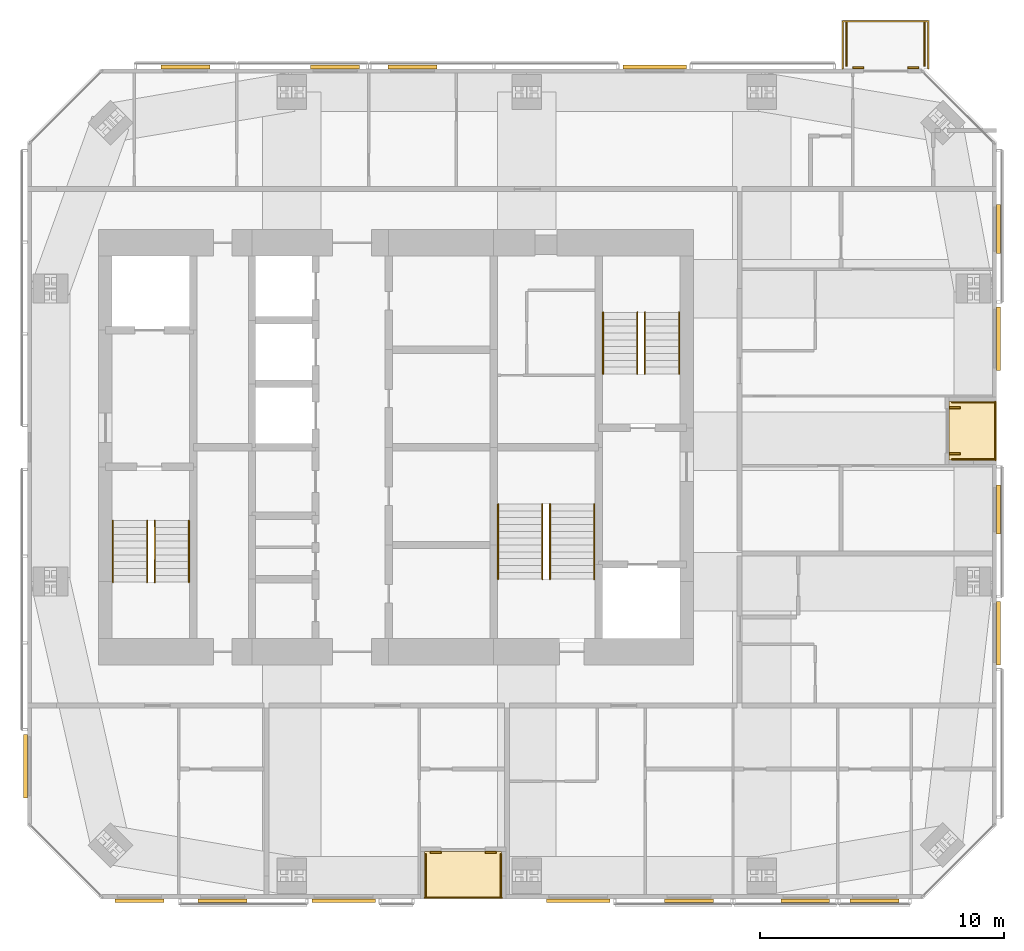
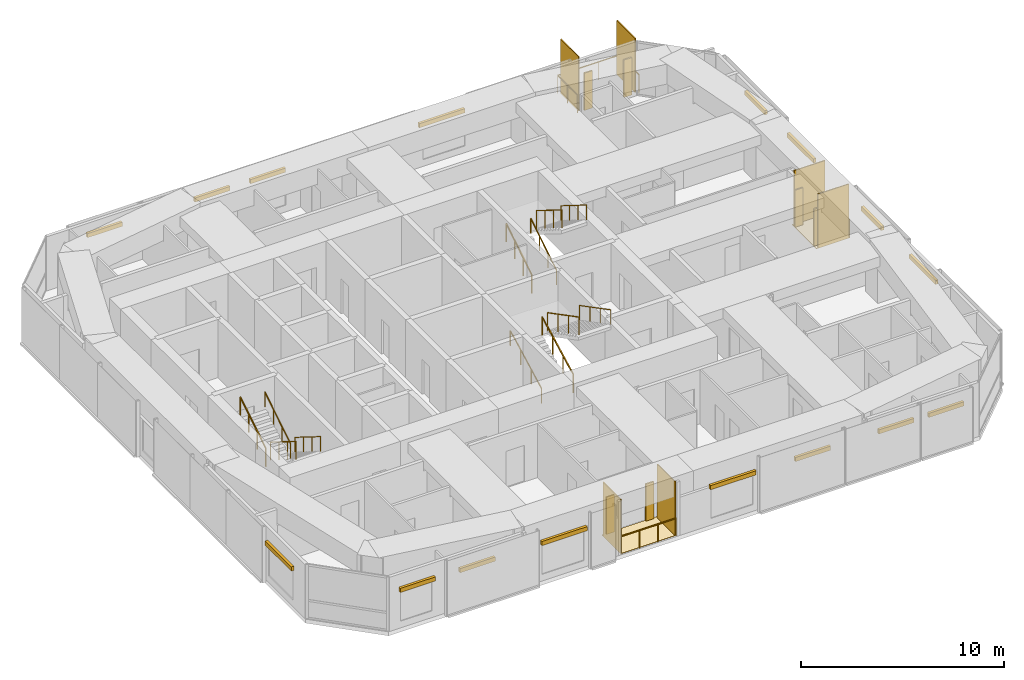
# One storey, part 20 of 20: 28 shading devices, 15 railings, 2 coverings.
"""IFC4 building model written with IfcOpenShell, lengths in metres."""

from ifc_helpers import new_model, si_unit, direction, frame, origin, origin_2d, place, context, subcontext, project, spatial, polyline, rectangle, circle, outline, extrude, material, layer, layer_set, constituent, constituent_set, type_object, element, save


model = new_model("IFC4")

# Units and contexts
model_context = context("Model", 3, precision=1e-05, world=origin(), true_north=direction((0.0, 1.0)))
body_context = subcontext(model_context, "Body", "Model", "MODEL_VIEW")
ifc_project = project(units=[si_unit("LENGTHUNIT", "METRE"), si_unit("AREAUNIT", "SQUARE_METRE"), si_unit("VOLUMEUNIT", "CUBIC_METRE"), si_unit("PLANEANGLEUNIT", "RADIAN"), si_unit("MASSUNIT", "GRAM", prefix="KILO")], contexts=[model_context])

# Site, building, storey
site_placement = place(None, origin())
site = spatial("IfcSite", under=ifc_project, at=site_placement, CompositionType="ELEMENT")
building_placement = place(site_placement, origin())
building = spatial("IfcBuilding", under=site, at=building_placement, Name="Jalousie Tower", CompositionType="ELEMENT")
storey_placement = place(building_placement, frame((0.0, 0.0, 245.949951171875)))
storey = spatial("IfcBuildingStorey", under=building, at=storey_placement, Name="L67", CompositionType="ELEMENT", Elevation=245.949951171875)

# Shading devices
ifc_material_1 = material(Name="Aluminium impact-rated louvred storm shutter", Category="aluminium")
shading_device_type_1 = type_object("IfcShadingDeviceType", Name="BI-FOLD STORM SHUTTER 900x2250", PredefinedType="SHUTTER", material=ifc_material_1)
for number, where, z_axis, x_axis, name in (
    (1, (33.52490234375, 1.909912109375, 0.0), (0.0, 0.0, 1.0), (1.0, 0.0, 0.0), "Loggia storm shutter L67"),
    (2, (35.77490234375, 1.909912109375, 0.0), (0.0, 0.0, 1.0), (1.0, 0.0, 0.0), "Loggia storm shutter L67"),
    (3, (54.77490234375, 18.235107421875, 0.0), (0.0, 0.0, 1.0), (-1.0, 0.0, 0.0), "Loggia storm shutter L67"),
    (4, (54.77490234375, 20.114990234375, 0.0), (0.0, 0.0, 1.0), (-1.0, 0.0, 0.0), "Loggia storm shutter L67"),
    (5, (53.07373046875, 34.0400390625, 0.0), (0.0, 0.0, 1.0), (-1.0, 0.0, 0.0), "Balcony storm shutter L67"),
    (6, (50.82373046875, 34.0400390625, 0.0), (0.0, 0.0, 1.0), (-1.0, 0.0, 0.0), "Balcony storm shutter L67"),
):
    element("IfcShadingDevice", number, at=place(storey_placement, frame(where, z_axis=z_axis, x_axis=x_axis)), inside=storey, type_object=shading_device_type_1, Name=name, PredefinedType="SHUTTER", context=body_context, shape_type="SweptSolid", body=[
        extrude(rectangle(XDim=0.449951171875, YDim=0.080078125, at=origin_2d()), origin(), (0.0, 0.0, 1.0), 2.25),
    ])

# Railings
ifc_material_2 = material(Name="Powder-coated aluminium fretwork", Category="aluminium")
railing_type_1 = type_object("IfcRailingType", Name="FRETWORK BALUSTRADE 1100", PredefinedType="BALUSTRADE", material=ifc_material_2)
railing_1_placement = place(storey_placement, frame((33.074951171875, 0.050048828125, 0.0)))
element("IfcRailing", 7, at=railing_1_placement, inside=storey, type_object=railing_type_1, Name="Loggia fretwork balustrade L67", PredefinedType="BALUSTRADE", context=body_context, shape_type="SweptSolid", body=[
    extrude(rectangle(XDim=0.048095703125, YDim=0.048095703125, at=origin_2d()), frame((0.0, 0.0, 1.076171875), z_axis=(1.0, 0.0, 0.0), x_axis=(0.0, 1.0, 0.0)), (0.0, 0.0, 1.0), 3.150146484375),
    extrude(circle(Radius=0.02099609375, at=origin_2d()), origin(), (0.0, 0.0, 1.0), 1.052001953125),
    extrude(circle(Radius=0.02099609375, at=origin_2d()), frame((1.050048828125, 0.0, 0.0)), (0.0, 0.0, 1.0), 1.052001953125),
    extrude(circle(Radius=0.02099609375, at=origin_2d()), frame((2.10009765625, 0.0, 0.0)), (0.0, 0.0, 1.0), 1.052001953125),
    extrude(circle(Radius=0.02099609375, at=origin_2d()), frame((3.150146484375, 0.0, 0.0)), (0.0, 0.0, 1.0), 1.052001953125),
])
railing_2_placement = place(storey_placement, frame((56.449951171875, 17.97509765625, 0.0)))
element("IfcRailing", 8, at=railing_2_placement, inside=storey, type_object=railing_type_1, Name="Loggia fretwork balustrade L67", PredefinedType="BALUSTRADE", context=body_context, shape_type="SweptSolid", body=[
    extrude(rectangle(XDim=0.048095703125, YDim=0.048095703125, at=origin_2d()), frame((0.0, 0.0, 1.076171875), z_axis=(0.0, 1.0, 0.0), x_axis=(-1.0, 0.0, 0.0)), (0.0, 0.0, 1.0), 2.39990234375),
    extrude(circle(Radius=0.02099609375, at=origin_2d()), origin(), (0.0, 0.0, 1.0), 1.052001953125),
    extrude(circle(Radius=0.02099609375, at=origin_2d()), frame((0.0, 1.199951171875, 0.0)), (0.0, 0.0, 1.0), 1.052001953125),
    extrude(circle(Radius=0.02099609375, at=origin_2d()), frame((0.0, 2.39990234375, 0.0)), (0.0, 0.0, 1.0), 1.052001953125),
])
railing_3_placement = place(storey_placement, frame((53.69873046875, 34.0, 0.0)))
element("IfcRailing", 9, at=railing_3_placement, inside=storey, type_object=railing_type_1, Name="Balcony fretwork balustrade L67", PredefinedType="BALUSTRADE", context=body_context, shape_type="SweptSolid", body=[
    extrude(rectangle(XDim=0.048095703125, YDim=0.048095703125, at=origin_2d()), frame((0.0, 0.0, 1.076171875), z_axis=(0.0, 1.0, 0.0), x_axis=(-1.0, 0.0, 0.0)), (0.0, 0.0, 1.0), 1.949951171875),
    extrude(rectangle(XDim=0.048095703125, YDim=0.048095703125, at=origin_2d()), frame((0.0, 1.949951171875, 1.076171875), z_axis=(-1.0, 0.0, 0.0), x_axis=(0.0, -1.0, 0.0)), (0.0, 0.0, 1.0), 3.5),
    extrude(rectangle(XDim=0.048095703125, YDim=0.048095703125, at=origin_2d()), frame((-3.5, 1.949951171875, 1.076171875), z_axis=(0.0, -1.0, 0.0), x_axis=(1.0, 0.0, 0.0)), (0.0, 0.0, 1.0), 1.949951171875),
    extrude(circle(Radius=0.02099609375, at=origin_2d()), origin(), (0.0, 0.0, 1.0), 1.052001953125),
    extrude(circle(Radius=0.02099609375, at=origin_2d()), frame((0.0, 0.97509765625, 0.0)), (0.0, 0.0, 1.0), 1.052001953125),
    extrude(circle(Radius=0.02099609375, at=origin_2d()), frame((0.0, 1.949951171875, 0.0)), (0.0, 0.0, 1.0), 1.052001953125),
    extrude(circle(Radius=0.02099609375, at=origin_2d()), frame((-1.166748046875, 1.949951171875, 0.0)), (0.0, 0.0, 1.0), 1.052001953125),
    extrude(circle(Radius=0.02099609375, at=origin_2d()), frame((-2.333251953125, 1.949951171875, 0.0)), (0.0, 0.0, 1.0), 1.052001953125),
    extrude(circle(Radius=0.02099609375, at=origin_2d()), frame((-3.5, 1.949951171875, 0.0)), (0.0, 0.0, 1.0), 1.052001953125),
    extrude(circle(Radius=0.02099609375, at=origin_2d()), frame((-3.5, 0.97509765625, 0.0)), (0.0, 0.0, 1.0), 1.052001953125),
    extrude(circle(Radius=0.02099609375, at=origin_2d()), frame((-3.5, 0.0, 0.0)), (0.0, 0.0, 1.0), 1.052001953125),
])

# Shading devices
ifc_material_3 = material(Name="Powder-coated aluminium louvres", Category="aluminium")
ifc_layer_1 = layer(ifc_material_3, 0.06005859375)
ifc_layer_set_1 = layer_set([ifc_layer_1], Name="Powder-coated aluminium louvres")
shading_device_type_2 = type_object("IfcShadingDeviceType", Name="JALOUSIE LOUVRE SCREEN", PredefinedType="JALOUSIE", material=ifc_layer_set_1)
for number, where, z_axis, x_axis, name in (
    (10, (33.10498046875, 0.97509765625, 0.0), (0.0, 0.0, 1.0), (1.0, 0.0, 0.0), "Loggia jalousie louvre screen L67"),
    (11, (36.195068359375, 0.97509765625, 0.0), (0.0, 0.0, 1.0), (1.0, 0.0, 0.0), "Loggia jalousie louvre screen L67"),
    (12, (55.52490234375, 18.0048828125, 0.0), (0.0, 0.0, 1.0), (0.0, 1.0, 0.0), "Loggia jalousie louvre screen L67"),
    (13, (55.52490234375, 20.344970703125, 0.0), (0.0, 0.0, 1.0), (0.0, 1.0, 0.0), "Loggia jalousie louvre screen L67"),
):
    element("IfcShadingDevice", number, at=place(storey_placement, frame(where, z_axis=z_axis, x_axis=x_axis)), inside=storey, type_object=shading_device_type_2, Name=name, PredefinedType="JALOUSIE", context=body_context, shape_type="SweptSolid", body=[
        extrude(rectangle(XDim=0.06005859375, YDim=1.75, at=origin_2d()), origin(), (0.0, 0.0, 1.0), 3.260009765625),
    ])
for number, where, z_axis, x_axis, name in (
    (14, (53.548583984375, 35.0, 0.0), (0.0, 0.0, 1.0), (-1.0, 0.0, 0.0), "Jalousie louvre screen L67"),
    (15, (50.3486328125, 35.0, 0.0), (0.0, 0.0, 1.0), (-1.0, 0.0, 0.0), "Jalousie louvre screen L67"),
):
    element("IfcShadingDevice", number, at=place(storey_placement, frame(where, z_axis=z_axis, x_axis=x_axis)), inside=storey, type_object=shading_device_type_2, Name=name, PredefinedType="JALOUSIE", context=body_context, shape_type="SweptSolid", body=[
        extrude(rectangle(XDim=0.06005859375, YDim=1.800048828125, at=origin_2d()), origin(), (0.0, 0.0, 1.0), 3.260009765625),
    ])

# Railings
ifc_material_4 = material(Name="Steel ASTM A500 Grade C", Category="steel")
ifc_constituent_1 = constituent(ifc_material_4, Name="Body")
ifc_material_5 = material(Name="Hot-dip galvanised zinc coating")
ifc_constituent_2 = constituent(ifc_material_5, Name="Finish")
ifc_constituent_set_1 = constituent_set(constituents=[ifc_constituent_1, ifc_constituent_2])
railing_type_2 = type_object("IfcRailingType", Name="STAIR GUARD 1100", PredefinedType="GUARDRAIL", material=ifc_constituent_set_1)
railing_4_placement = place(storey_placement, frame((22.017578125, 15.49755859375, 0.175048828125)))
element("IfcRailing", 16, at=railing_4_placement, inside=storey, type_object=railing_type_2, Name="Exit stair A guard L67 flight 1", PredefinedType="GUARDRAIL", context=body_context, shape_type="SweptSolid", body=[
    extrude(rectangle(XDim=0.048095703125, YDim=0.048095703125, at=origin_2d()), frame((0.0, 0.0, 1.076171875), z_axis=(0.0, -0.848007534815, 0.529984170421), x_axis=(1.0, 0.0, 0.0)), (0.0, 0.0, 1.0), 2.9716796875),
    extrude(circle(Radius=0.02099609375, at=origin_2d()), origin(), (0.0, 0.0, 1.0), 1.052001953125),
    extrude(circle(Radius=0.02099609375, at=origin_2d()), frame((0.0, -0.840087890625, 0.52490234375)), (0.0, 0.0, 1.0), 1.052001953125),
    extrude(circle(Radius=0.02099609375, at=origin_2d()), frame((0.0, -1.679931640625, 1.050048828125)), (0.0, 0.0, 1.0), 1.052001953125),
    extrude(circle(Radius=0.02099609375, at=origin_2d()), frame((0.0, -2.52001953125, 1.574951171875)), (0.0, 0.0, 1.0), 1.052001953125),
])
for number, where, name in (
    (17, (20.304931640625, 12.9775390625, 1.925048828125), "Exit stair A guard L67 flight 2"),
    (18, (40.3798828125, 21.50244140625, 0.175048828125), "Exit stair B guard L67 flight 1"),
):
    element("IfcRailing", number, at=place(storey_placement, frame(where)), inside=storey, type_object=railing_type_2, Name=name, PredefinedType="GUARDRAIL", context=body_context, shape_type="SweptSolid", body=[
        extrude(rectangle(XDim=0.048095703125, YDim=0.048095703125, at=origin_2d()), frame((0.0, 0.0, 1.076171875), z_axis=(0.0, 0.848007534815, 0.529984170421), x_axis=(-1.0, 0.0, 0.0)), (0.0, 0.0, 1.0), 2.9716796875),
        extrude(circle(Radius=0.02099609375, at=origin_2d()), origin(), (0.0, 0.0, 1.0), 1.052001953125),
        extrude(circle(Radius=0.02099609375, at=origin_2d()), frame((0.0, 0.840087890625, 0.52490234375)), (0.0, 0.0, 1.0), 1.052001953125),
        extrude(circle(Radius=0.02099609375, at=origin_2d()), frame((0.0, 1.679931640625, 1.050048828125)), (0.0, 0.0, 1.0), 1.052001953125),
        extrude(circle(Radius=0.02099609375, at=origin_2d()), frame((0.0, 2.52001953125, 1.574951171875)), (0.0, 0.0, 1.0), 1.052001953125),
    ])
railing_5_placement = place(storey_placement, frame((42.092529296875, 24.0224609375, 1.925048828125)))
element("IfcRailing", 19, at=railing_5_placement, inside=storey, type_object=railing_type_2, Name="Exit stair B guard L67 flight 2", PredefinedType="GUARDRAIL", context=body_context, shape_type="SweptSolid", body=[
    extrude(rectangle(XDim=0.048095703125, YDim=0.048095703125, at=origin_2d()), frame((0.0, 0.0, 1.076171875), z_axis=(0.0, -0.848007534815, 0.529984170421), x_axis=(1.0, 0.0, 0.0)), (0.0, 0.0, 1.0), 2.9716796875),
    extrude(circle(Radius=0.02099609375, at=origin_2d()), origin(), (0.0, 0.0, 1.0), 1.052001953125),
    extrude(circle(Radius=0.02099609375, at=origin_2d()), frame((0.0, -0.840087890625, 0.52490234375)), (0.0, 0.0, 1.0), 1.052001953125),
    extrude(circle(Radius=0.02099609375, at=origin_2d()), frame((0.0, -1.679931640625, 1.050048828125)), (0.0, 0.0, 1.0), 1.052001953125),
    extrude(circle(Radius=0.02099609375, at=origin_2d()), frame((0.0, -2.52001953125, 1.574951171875)), (0.0, 0.0, 1.0), 1.052001953125),
])
railing_6_placement = place(storey_placement, frame((37.89501953125, 13.097412109375, 0.145751953125)))
element("IfcRailing", 20, at=railing_6_placement, inside=storey, type_object=railing_type_2, Name="Exit stair C guard L67 flight 1", PredefinedType="GUARDRAIL", context=body_context, shape_type="SweptSolid", body=[
    extrude(rectangle(XDim=0.048095703125, YDim=0.048095703125, at=origin_2d()), frame((0.0, 0.0, 1.076171875), z_axis=(0.0, 0.886909283822, 0.461943635383), x_axis=(-1.0, 0.0, 0.0)), (0.0, 0.0, 1.0), 3.472900390625),
    extrude(circle(Radius=0.02099609375, at=origin_2d()), origin(), (0.0, 0.0, 1.0), 1.052001953125),
    extrude(circle(Radius=0.02099609375, at=origin_2d()), frame((0.0, 1.026611328125, 0.53466796875)), (0.0, 0.0, 1.0), 1.052001953125),
    extrude(circle(Radius=0.02099609375, at=origin_2d()), frame((0.0, 2.053466796875, 1.069580078125)), (0.0, 0.0, 1.0), 1.052001953125),
    extrude(circle(Radius=0.02099609375, at=origin_2d()), frame((0.0, 3.080078125, 1.604248046875)), (0.0, 0.0, 1.0), 1.052001953125),
])
railing_7_placement = place(storey_placement, frame((38.205078125, 16.177490234375, 1.895751953125)))
element("IfcRailing", 21, at=railing_7_placement, inside=storey, type_object=railing_type_2, Name="Exit stair C guard L67 flight 2", PredefinedType="GUARDRAIL", context=body_context, shape_type="SweptSolid", body=[
    extrude(rectangle(XDim=0.048095703125, YDim=0.048095703125, at=origin_2d()), frame((0.0, 0.0, 1.076171875), z_axis=(0.0, -0.886909283822, 0.461943635383), x_axis=(1.0, 0.0, 0.0)), (0.0, 0.0, 1.0), 3.472900390625),
    extrude(circle(Radius=0.02099609375, at=origin_2d()), origin(), (0.0, 0.0, 1.0), 1.052001953125),
    extrude(circle(Radius=0.02099609375, at=origin_2d()), frame((0.0, -1.026611328125, 0.53466796875)), (0.0, 0.0, 1.0), 1.052001953125),
    extrude(circle(Radius=0.02099609375, at=origin_2d()), frame((0.0, -2.053466796875, 1.069580078125)), (0.0, 0.0, 1.0), 1.052001953125),
    extrude(circle(Radius=0.02099609375, at=origin_2d()), frame((0.0, -3.080078125, 1.604248046875)), (0.0, 0.0, 1.0), 1.052001953125),
])
ifc_material_6 = material(Name="Steel ASTM A500 Grade C", Category="steel")
ifc_constituent_3 = constituent(ifc_material_6, Name="Body")
ifc_material_7 = material(Name="Hot-dip galvanised zinc coating")
ifc_constituent_4 = constituent(ifc_material_7, Name="Finish")
ifc_constituent_set_2 = constituent_set(constituents=[ifc_constituent_3, ifc_constituent_4])
railing_type_3 = type_object("IfcRailingType", Name="STAIR HANDRAIL 900", PredefinedType="HANDRAIL", material=ifc_constituent_set_2)
railing_8_placement = place(storey_placement, frame((23.420166015625, 15.49755859375, 0.175048828125)))
element("IfcRailing", 22, at=railing_8_placement, inside=storey, type_object=railing_type_3, Name="Exit stair A handrail L67 flight 1", PredefinedType="HANDRAIL", context=body_context, shape_type="SweptSolid", body=[
    extrude(circle(Radius=0.02392578125, at=origin_2d()), frame((0.0, 0.0, 0.8759765625), z_axis=(0.0, -0.848007534815, 0.529984170421), x_axis=(1.0, 0.0, 0.0)), (0.0, 0.0, 1.0), 2.9716796875),
    extrude(circle(Radius=0.02099609375, at=origin_2d()), origin(), (0.0, 0.0, 1.0), 0.851806640625),
    extrude(circle(Radius=0.02099609375, at=origin_2d()), frame((0.0, -0.840087890625, 0.52490234375)), (0.0, 0.0, 1.0), 0.851806640625),
    extrude(circle(Radius=0.02099609375, at=origin_2d()), frame((0.0, -1.679931640625, 1.050048828125)), (0.0, 0.0, 1.0), 0.851806640625),
    extrude(circle(Radius=0.02099609375, at=origin_2d()), frame((0.0, -2.52001953125, 1.574951171875)), (0.0, 0.0, 1.0), 0.851806640625),
])
for number, where, name in (
    (23, (21.70751953125, 12.9775390625, 1.925048828125), "Exit stair A handrail L67 flight 2"),
    (24, (41.782470703125, 21.50244140625, 0.175048828125), "Exit stair B handrail L67 flight 1"),
):
    element("IfcRailing", number, at=place(storey_placement, frame(where)), inside=storey, type_object=railing_type_3, Name=name, PredefinedType="HANDRAIL", context=body_context, shape_type="SweptSolid", body=[
        extrude(circle(Radius=0.02392578125, at=origin_2d()), frame((0.0, 0.0, 0.8759765625), z_axis=(0.0, 0.848007534815, 0.529984170421), x_axis=(-1.0, 0.0, 0.0)), (0.0, 0.0, 1.0), 2.9716796875),
        extrude(circle(Radius=0.02099609375, at=origin_2d()), origin(), (0.0, 0.0, 1.0), 0.851806640625),
        extrude(circle(Radius=0.02099609375, at=origin_2d()), frame((0.0, 0.840087890625, 0.52490234375)), (0.0, 0.0, 1.0), 0.851806640625),
        extrude(circle(Radius=0.02099609375, at=origin_2d()), frame((0.0, 1.679931640625, 1.050048828125)), (0.0, 0.0, 1.0), 0.851806640625),
        extrude(circle(Radius=0.02099609375, at=origin_2d()), frame((0.0, 2.52001953125, 1.574951171875)), (0.0, 0.0, 1.0), 0.851806640625),
    ])
railing_9_placement = place(storey_placement, frame((43.4951171875, 24.0224609375, 1.925048828125)))
element("IfcRailing", 25, at=railing_9_placement, inside=storey, type_object=railing_type_3, Name="Exit stair B handrail L67 flight 2", PredefinedType="HANDRAIL", context=body_context, shape_type="SweptSolid", body=[
    extrude(circle(Radius=0.02392578125, at=origin_2d()), frame((0.0, 0.0, 0.8759765625), z_axis=(0.0, -0.848007534815, 0.529984170421), x_axis=(1.0, 0.0, 0.0)), (0.0, 0.0, 1.0), 2.9716796875),
    extrude(circle(Radius=0.02099609375, at=origin_2d()), origin(), (0.0, 0.0, 1.0), 0.851806640625),
    extrude(circle(Radius=0.02099609375, at=origin_2d()), frame((0.0, -0.840087890625, 0.52490234375)), (0.0, 0.0, 1.0), 0.851806640625),
    extrude(circle(Radius=0.02099609375, at=origin_2d()), frame((0.0, -1.679931640625, 1.050048828125)), (0.0, 0.0, 1.0), 0.851806640625),
    extrude(circle(Radius=0.02099609375, at=origin_2d()), frame((0.0, -2.52001953125, 1.574951171875)), (0.0, 0.0, 1.0), 0.851806640625),
])
railing_10_placement = place(storey_placement, frame((36.080078125, 13.097412109375, 0.145751953125)))
element("IfcRailing", 26, at=railing_10_placement, inside=storey, type_object=railing_type_3, Name="Exit stair C handrail L67 flight 1", PredefinedType="HANDRAIL", context=body_context, shape_type="SweptSolid", body=[
    extrude(circle(Radius=0.02392578125, at=origin_2d()), frame((0.0, 0.0, 0.8759765625), z_axis=(0.0, 0.886909283822, 0.461943635383), x_axis=(-1.0, 0.0, 0.0)), (0.0, 0.0, 1.0), 3.472900390625),
    extrude(circle(Radius=0.02099609375, at=origin_2d()), origin(), (0.0, 0.0, 1.0), 0.851806640625),
    extrude(circle(Radius=0.02099609375, at=origin_2d()), frame((0.0, 1.026611328125, 0.53466796875)), (0.0, 0.0, 1.0), 0.851806640625),
    extrude(circle(Radius=0.02099609375, at=origin_2d()), frame((0.0, 2.053466796875, 1.069580078125)), (0.0, 0.0, 1.0), 0.851806640625),
    extrude(circle(Radius=0.02099609375, at=origin_2d()), frame((0.0, 3.080078125, 1.604248046875)), (0.0, 0.0, 1.0), 0.851806640625),
])
railing_11_placement = place(storey_placement, frame((40.02001953125, 16.177490234375, 1.895751953125)))
element("IfcRailing", 27, at=railing_11_placement, inside=storey, type_object=railing_type_3, Name="Exit stair C handrail L67 flight 2", PredefinedType="HANDRAIL", context=body_context, shape_type="SweptSolid", body=[
    extrude(circle(Radius=0.02392578125, at=origin_2d()), frame((0.0, 0.0, 0.8759765625), z_axis=(0.0, -0.886909283822, 0.461943635383), x_axis=(1.0, 0.0, 0.0)), (0.0, 0.0, 1.0), 3.472900390625),
    extrude(circle(Radius=0.02099609375, at=origin_2d()), origin(), (0.0, 0.0, 1.0), 0.851806640625),
    extrude(circle(Radius=0.02099609375, at=origin_2d()), frame((0.0, -1.026611328125, 0.53466796875)), (0.0, 0.0, 1.0), 0.851806640625),
    extrude(circle(Radius=0.02099609375, at=origin_2d()), frame((0.0, -2.053466796875, 1.069580078125)), (0.0, 0.0, 1.0), 0.851806640625),
    extrude(circle(Radius=0.02099609375, at=origin_2d()), frame((0.0, -3.080078125, 1.604248046875)), (0.0, 0.0, 1.0), 0.851806640625),
])

# Shading devices
ifc_material_8 = material(Name="Aluminium roller storm shutter", Category="aluminium")
shading_device_type_3 = type_object("IfcShadingDeviceType", Name="STORM SHUTTER HOUSING", PredefinedType="SHUTTER", material=ifc_material_8)
for number, where, z_axis, x_axis, name in (
    (28, (21.3876953125, -0.074951171875, 2.25), (0.0, 0.0, 1.0), (1.0, 0.0, 0.0), "Storm shutter L67"),
    (29, (24.800048828125, -0.074951171875, 2.25), (0.0, 0.0, 1.0), (1.0, 0.0, 0.0), "Storm shutter L67"),
):
    element("IfcShadingDevice", number, at=place(storey_placement, frame(where, z_axis=z_axis, x_axis=x_axis)), inside=storey, type_object=shading_device_type_3, Name=name, PredefinedType="SHUTTER", context=body_context, shape_type="SweptSolid", body=[
        extrude(rectangle(XDim=2.0, YDim=0.14990234375, at=origin_2d()), origin(), (0.0, 0.0, 1.0), 0.25),
    ])
for number, where, z_axis, x_axis, name in (
    (30, (29.75, -0.074951171875, 2.25), (0.0, 0.0, 1.0), (1.0, 0.0, 0.0), "Storm shutter L67"),
    (31, (39.360107421875, -0.074951171875, 2.25), (0.0, 0.0, 1.0), (1.0, 0.0, 0.0), "Storm shutter L67"),
):
    element("IfcShadingDevice", number, at=place(storey_placement, frame(where, z_axis=z_axis, x_axis=x_axis)), inside=storey, type_object=shading_device_type_3, Name=name, PredefinedType="SHUTTER", context=body_context, shape_type="SweptSolid", body=[
        extrude(rectangle(XDim=2.60009765625, YDim=0.14990234375, at=origin_2d()), origin(), (0.0, 0.0, 1.0), 0.25),
    ])
for number, where, z_axis, x_axis, name in (
    (32, (43.89990234375, -0.074951171875, 2.25), (0.0, 0.0, 1.0), (1.0, 0.0, 0.0), "Storm shutter L67"),
    (33, (48.657470703125, -0.074951171875, 2.25), (0.0, 0.0, 1.0), (1.0, 0.0, 0.0), "Storm shutter L67"),
    (34, (51.5, -0.074951171875, 2.25), (0.0, 0.0, 1.0), (1.0, 0.0, 0.0), "Storm shutter L67"),
):
    element("IfcShadingDevice", number, at=place(storey_placement, frame(where, z_axis=z_axis, x_axis=x_axis)), inside=storey, type_object=shading_device_type_3, Name=name, PredefinedType="SHUTTER", context=body_context, shape_type="SweptSolid", body=[
        extrude(rectangle(XDim=2.0, YDim=0.14990234375, at=origin_2d()), origin(), (0.0, 0.0, 1.0), 0.25),
    ])
shading_device_1_placement = place(storey_placement, frame((56.574951171875, 10.891357421875, 2.25), z_axis=(0.0, 0.0, 1.0), x_axis=(0.0, 1.0, 0.0)))
element("IfcShadingDevice", 35, at=shading_device_1_placement, inside=storey, type_object=shading_device_type_3, Name="Storm shutter L67", PredefinedType="SHUTTER", context=body_context, shape_type="SweptSolid", body=[
    extrude(rectangle(XDim=2.60009765625, YDim=0.14990234375, at=origin_2d()), origin(), (0.0, 0.0, 1.0), 0.25),
])
shading_device_2_placement = place(storey_placement, frame((56.574951171875, 15.949951171875, 2.25), z_axis=(0.0, 0.0, 1.0), x_axis=(0.0, 1.0, 0.0)))
element("IfcShadingDevice", 36, at=shading_device_2_placement, inside=storey, type_object=shading_device_type_3, Name="Storm shutter L67", PredefinedType="SHUTTER", context=body_context, shape_type="SweptSolid", body=[
    extrude(rectangle(XDim=2.0, YDim=0.14990234375, at=origin_2d()), origin(), (0.0, 0.0, 1.0), 0.25),
])
shading_device_3_placement = place(storey_placement, frame((56.574951171875, 22.949951171875, 2.25), z_axis=(0.0, 0.0, 1.0), x_axis=(0.0, 1.0, 0.0)))
element("IfcShadingDevice", 37, at=shading_device_3_placement, inside=storey, type_object=shading_device_type_3, Name="Storm shutter L67", PredefinedType="SHUTTER", context=body_context, shape_type="SweptSolid", body=[
    extrude(rectangle(XDim=2.60009765625, YDim=0.14990234375, at=origin_2d()), origin(), (0.0, 0.0, 1.0), 0.25),
])
shading_device_4_placement = place(storey_placement, frame((56.574951171875, 27.4375, 2.25), z_axis=(0.0, 0.0, 1.0), x_axis=(0.0, 1.0, 0.0)))
element("IfcShadingDevice", 38, at=shading_device_4_placement, inside=storey, type_object=shading_device_type_3, Name="Storm shutter L67", PredefinedType="SHUTTER", context=body_context, shape_type="SweptSolid", body=[
    extrude(rectangle(XDim=2.0, YDim=0.14990234375, at=origin_2d()), origin(), (0.0, 0.0, 1.0), 0.25),
])
shading_device_5_placement = place(storey_placement, frame((42.48876953125, 34.074951171875, 2.25), z_axis=(0.0, 0.0, 1.0), x_axis=(-1.0, 0.0, 0.0)))
element("IfcShadingDevice", 39, at=shading_device_5_placement, inside=storey, type_object=shading_device_type_3, Name="Storm shutter L67", PredefinedType="SHUTTER", context=body_context, shape_type="SweptSolid", body=[
    extrude(rectangle(XDim=2.60009765625, YDim=0.14990234375, at=origin_2d()), origin(), (0.0, 0.0, 1.0), 0.25),
])
for number, where, z_axis, x_axis, name in (
    (40, (32.574951171875, 34.074951171875, 2.25), (0.0, 0.0, 1.0), (-1.0, 0.0, 0.0), "Storm shutter L67"),
    (41, (29.405029296875, 34.074951171875, 2.25), (0.0, 0.0, 1.0), (-1.0, 0.0, 0.0), "Storm shutter L67"),
    (42, (23.275634765625, 34.074951171875, 2.25), (0.0, 0.0, 1.0), (-1.0, 0.0, 0.0), "Storm shutter L67"),
):
    element("IfcShadingDevice", number, at=place(storey_placement, frame(where, z_axis=z_axis, x_axis=x_axis)), inside=storey, type_object=shading_device_type_3, Name=name, PredefinedType="SHUTTER", context=body_context, shape_type="SweptSolid", body=[
        extrude(rectangle(XDim=2.0, YDim=0.14990234375, at=origin_2d()), origin(), (0.0, 0.0, 1.0), 0.25),
    ])
shading_device_6_placement = place(storey_placement, frame((16.72509765625, 5.43798828125, 2.25), z_axis=(0.0, 0.0, 1.0), x_axis=(0.0, -1.0, 0.0)))
element("IfcShadingDevice", 43, at=shading_device_6_placement, inside=storey, type_object=shading_device_type_3, Name="Storm shutter L67", PredefinedType="SHUTTER", context=body_context, shape_type="SweptSolid", body=[
    extrude(rectangle(XDim=2.60009765625, YDim=0.14990234375, at=origin_2d()), origin(), (0.0, 0.0, 1.0), 0.25),
])

# Coverings
ifc_material_9 = material(Name="Porcelain paving on adjustable pedestals", Category="masonry")
ifc_layer_2 = layer(ifc_material_9, 0.02001953125)
ifc_layer_set_2 = layer_set([ifc_layer_2], Name="Porcelain paving on adjustable pedestals")
covering_type = type_object("IfcCoveringType", Name="TERRACE PAVING 20", PredefinedType="FLOORING", material=ifc_layer_set_2)
covering_1_placement = place(storey_placement, origin())
element("IfcCovering", 44, at=covering_1_placement, inside=storey, type_object=covering_type, Name="Apartment 6702 terrace paving", PredefinedType="FLOORING", context=body_context, shape_type="SweptSolid", body=[
    extrude(outline(polyline([(33.074951171875, 0.080078125), (36.22509765625, 0.080078125), (36.22509765625, 1.949951171875), (33.074951171875, 1.949951171875), (33.074951171875, 0.080078125)])), origin(), (0.0, 0.0, 1.0), 0.02001953125),
])
covering_2_placement = place(storey_placement, origin())
element("IfcCovering", 45, at=covering_2_placement, inside=storey, type_object=covering_type, Name="Apartment 6706 terrace paving", PredefinedType="FLOORING", context=body_context, shape_type="SweptSolid", body=[
    extrude(outline(polyline([(56.419921875, 17.97509765625), (56.419921875, 20.375), (54.550048828125, 20.375), (54.550048828125, 17.97509765625), (56.419921875, 17.97509765625)])), origin(), (0.0, 0.0, 1.0), 0.02001953125),
])

save(model, "model.ifc")
